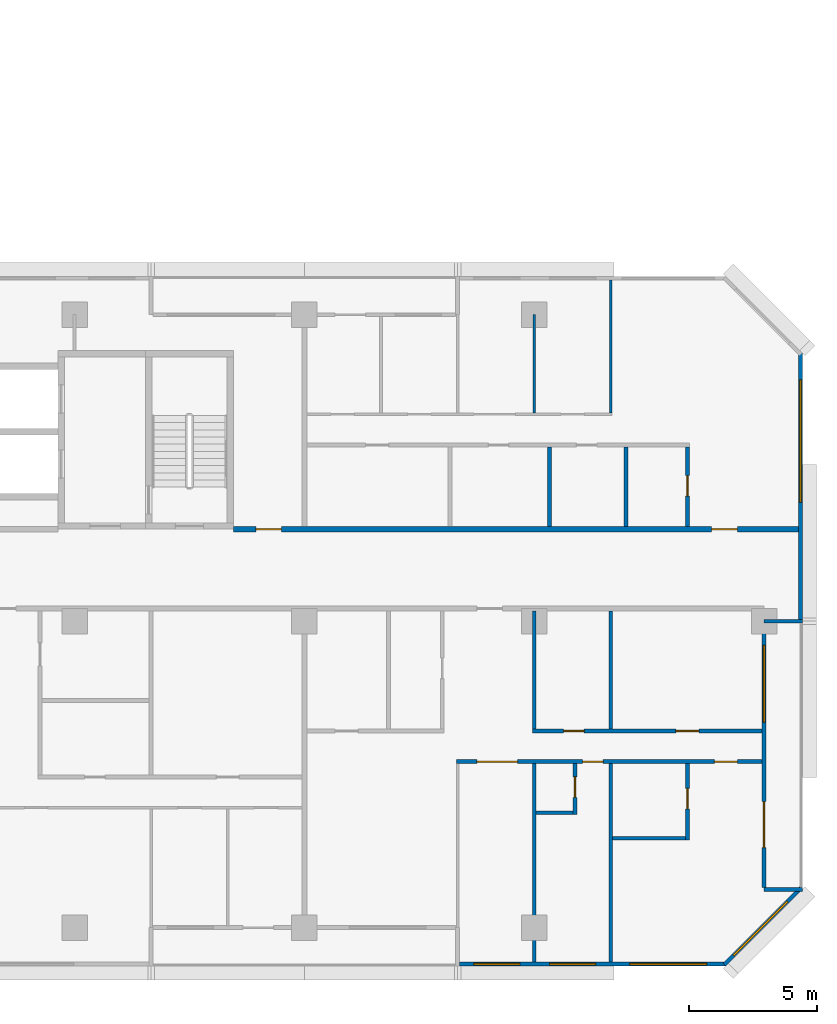
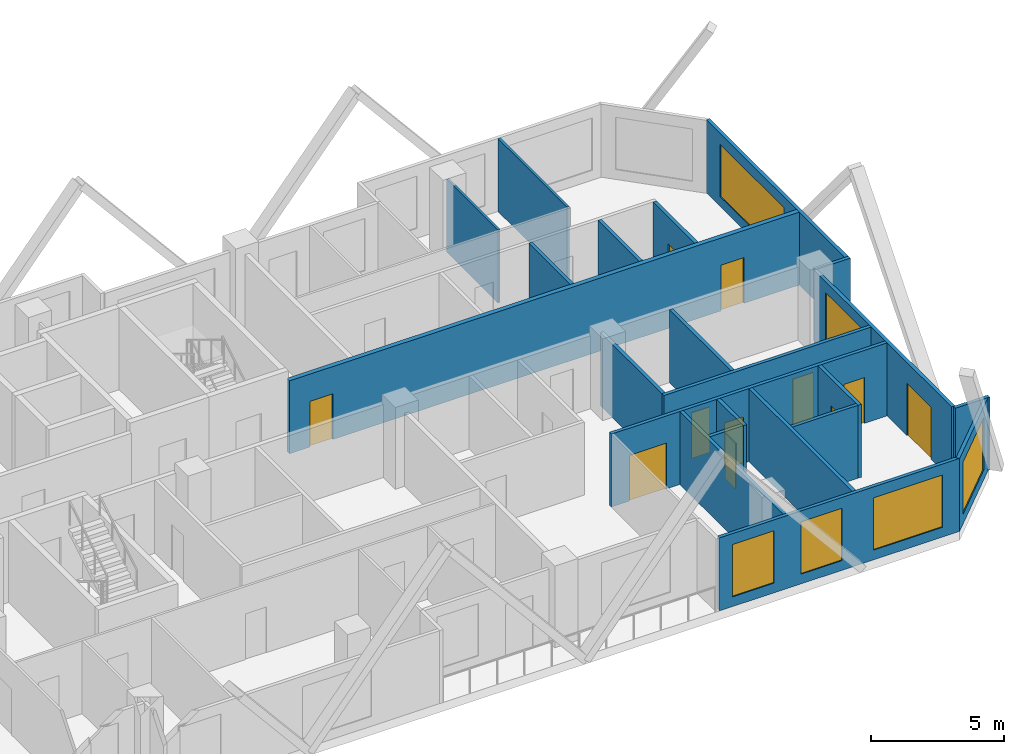
# One storey, part 12 of 15: 22 walls, 11 doors, 6 windows, 17 openings.
"""IFC4 building model written with IfcOpenShell, lengths in metres."""

from ifc_helpers import new_model, si_unit, direction, frame, frame_2d, origin, place, context, subcontext, project, spatial, rectangle, extrude, material, layer, layer_set, type_object, element, fill, save


model = new_model("IFC4")

# Units and contexts
model_context = context("Model", 3, precision=1e-05, world=origin(), true_north=direction((0.0, 1.0)))
body_context = subcontext(model_context, "Body", "Model", "MODEL_VIEW")
ifc_project = project(units=[si_unit("LENGTHUNIT", "METRE"), si_unit("AREAUNIT", "SQUARE_METRE"), si_unit("VOLUMEUNIT", "CUBIC_METRE"), si_unit("PLANEANGLEUNIT", "RADIAN"), si_unit("MASSUNIT", "GRAM", prefix="KILO")], contexts=[model_context])

# Site, building, storey
site_placement = place(None, origin())
site = spatial("IfcSite", under=ifc_project, at=site_placement, CompositionType="ELEMENT")
building_placement = place(site_placement, origin())
building = spatial("IfcBuilding", under=site, at=building_placement, Name="Chenar Terraces", CompositionType="ELEMENT")
storey_placement = place(building_placement, frame((0.0, 0.0, 121.89990234375)))
storey = spatial("IfcBuildingStorey", under=building, at=storey_placement, Name="L28", CompositionType="ELEMENT", Elevation=121.89990234375)

# Wall, openings, doors
ifc_material_1 = material(Name="Gypsum board on steel studs with fire boards", Category="steel")
ifc_layer_1 = layer(ifc_material_1, 0.199951171875)
ifc_layer_set_1 = layer_set([ifc_layer_1], Name="Gypsum board on steel studs with fire boards")
wall_type_1 = type_object("IfcWallType", Name="Corridor wall 200", PredefinedType="PARTITIONING", material=ifc_layer_set_1)
wall_1_placement = place(storey_placement, frame((51.22509765625, 15.60009765625, 0.0), z_axis=(0.0, 0.0, 1.0), x_axis=(1.0, 0.0, 0.0)))
wall_1 = element("IfcWall", 1, at=wall_1_placement, inside=storey, type_object=wall_type_1, Name="Partition L28-076", PredefinedType="PARTITIONING", context=body_context, shape_type="SweptSolid", body=[
    extrude(rectangle(XDim=22.125, YDim=0.199951171875, at=frame_2d((11.0625, 0.0))), origin(), (0.0, 0.0, 1.0), 3.35009765625),
])
opening_1_placement = place(wall_1_placement, frame((18.72509765625, 0.0, 0.0)))
opening_1 = element("IfcOpeningElement", 2, at=opening_1_placement, cuts=wall_1, Name="Opening DL28-8", PredefinedType="OPENING", context=body_context, shape_type="SweptSolid", body=[
    extrude(rectangle(XDim=1.0, YDim=2.10009765625, at=frame_2d((0.5, 1.050048828125))), frame((0.0, 0.10986328125, 0.0), z_axis=(0.0, -1.0, 0.0), x_axis=(1.0, 0.0, 0.0)), (0.0, 0.0, 1.0), 0.219970703125),
])
opening_2_placement = place(wall_1_placement, frame((0.875, 0.0, 0.0)))
opening_2 = element("IfcOpeningElement", 3, at=opening_2_placement, cuts=wall_1, Name="Opening DL28-52", PredefinedType="OPENING", context=body_context, shape_type="SweptSolid", body=[
    extrude(rectangle(XDim=1.0, YDim=2.10009765625, at=frame_2d((0.5, 1.050048828125))), frame((0.0, 0.10986328125, 0.0), z_axis=(0.0, -1.0, 0.0), x_axis=(1.0, 0.0, 0.0)), (0.0, 0.0, 1.0), 0.219970703125),
])
ifc_material_2 = material(Name="Steel-framed fire-resisting door leaf", Category="steel")
door_type_1 = type_object("IfcDoorType", Name="Fire door FD30S 1000 x 2100", OperationType="SINGLE_SWING_LEFT", PredefinedType="DOOR", material=ifc_material_2)
door_1_placement = place(opening_1_placement, origin())
door_1 = element("IfcDoor", 4, at=door_1_placement, inside=storey, type_object=door_type_1, Name="Door DL28-8", OperationType="SINGLE_SWING_LEFT", OverallHeight=2.10009765625, OverallWidth=1.0, PredefinedType="DOOR", context=body_context, shape_type="SweptSolid", body=[
    extrude(rectangle(XDim=1.0, YDim=2.10009765625, at=frame_2d((0.5, 1.050048828125))), frame((0.0, 0.02490234375, 0.0), z_axis=(0.0, -1.0, 0.0), x_axis=(1.0, 0.0, 0.0)), (0.0, 0.0, 1.0), 0.050048828125),
])
fill(opening_1, door_1)
door_2_placement = place(opening_2_placement, origin())
door_2 = element("IfcDoor", 5, at=door_2_placement, inside=storey, type_object=door_type_1, Name="Door DL28-52", OperationType="SINGLE_SWING_RIGHT", OverallHeight=2.10009765625, OverallWidth=1.0, PredefinedType="DOOR", context=body_context, shape_type="SweptSolid", body=[
    extrude(rectangle(XDim=1.0, YDim=2.10009765625, at=frame_2d((0.5, 1.050048828125))), frame((0.0, 0.02490234375, 0.0), z_axis=(0.0, -1.0, 0.0), x_axis=(1.0, 0.0, 0.0)), (0.0, 0.0, 1.0), 0.050048828125),
])
fill(opening_2, door_2)

# Wall, openings, windows
ifc_material_3 = material(Name="Aluminium framed glazing", Category="aluminium")
ifc_layer_2 = layer(ifc_material_3, 0.14990234375)
ifc_layer_set_2 = layer_set([ifc_layer_2], Name="Aluminium framed glazing")
wall_type_2 = type_object("IfcWallType", Name="Glazed flush facade wall 150", PredefinedType="SOLIDWALL", material=ifc_layer_set_2)
wall_2_placement = place(storey_placement, frame((60.074951171875, -1.425048828125, 0.0), z_axis=(0.0, 0.0, 1.0), x_axis=(1.0, 0.0, 0.0)))
wall_2 = element("IfcWall", 6, at=wall_2_placement, inside=storey, type_object=wall_type_2, Name="Glazed flush facade wall", PredefinedType="SOLIDWALL", context=body_context, shape_type="SweptSolid", body=[
    extrude(rectangle(XDim=10.425048828125, YDim=0.14990234375, at=frame_2d((5.21240234375, 0.0))), origin(), (0.0, 0.0, 1.0), 3.35009765625),
])
opening_3_placement = place(wall_2_placement, frame((0.5625, 0.0, 0.449951171875)))
opening_3 = element("IfcOpeningElement", 7, at=opening_3_placement, cuts=wall_2, Name="Opening W180x240", PredefinedType="OPENING", context=body_context, shape_type="SweptSolid", body=[
    extrude(rectangle(XDim=1.800048828125, YDim=2.39990234375, at=frame_2d((0.89990234375, 1.199951171875))), frame((0.0, 0.0849609375, 0.0), z_axis=(0.0, -1.0, 0.0), x_axis=(1.0, 0.0, 0.0)), (0.0, 0.0, 1.0), 0.169921875),
])
opening_4_placement = place(wall_2_placement, frame((3.52490234375, 0.0, 0.449951171875)))
opening_4 = element("IfcOpeningElement", 8, at=opening_4_placement, cuts=wall_2, Name="Opening W180x240", PredefinedType="OPENING", context=body_context, shape_type="SweptSolid", body=[
    extrude(rectangle(XDim=1.800048828125, YDim=2.39990234375, at=frame_2d((0.89990234375, 1.199951171875))), frame((0.0, 0.0849609375, 0.0), z_axis=(0.0, -1.0, 0.0), x_axis=(1.0, 0.0, 0.0)), (0.0, 0.0, 1.0), 0.169921875),
])
opening_5_placement = place(wall_2_placement, frame((6.675048828125, 0.0, 0.449951171875)))
opening_5 = element("IfcOpeningElement", 9, at=opening_5_placement, cuts=wall_2, Name="Opening W300x240", PredefinedType="OPENING", context=body_context, shape_type="SweptSolid", body=[
    extrude(rectangle(XDim=3.0, YDim=2.39990234375, at=frame_2d((1.5, 1.199951171875))), frame((0.0, 0.0849609375, 0.0), z_axis=(0.0, -1.0, 0.0), x_axis=(1.0, 0.0, 0.0)), (0.0, 0.0, 1.0), 0.169921875),
])
ifc_material_4 = material(Name="Low emissivity double glazing, aluminium frame", Category="aluminium")
window_type_1 = type_object("IfcWindowType", Name="Fixed light 1800 x 2400", PartitioningType="SINGLE_PANEL", PredefinedType="WINDOW", material=ifc_material_4)
window_1_placement = place(opening_3_placement, origin())
window_1 = element("IfcWindow", 10, at=window_1_placement, inside=storey, type_object=window_type_1, Name="Window", OverallHeight=2.39990234375, OverallWidth=1.800048828125, PartitioningType="SINGLE_PANEL", PredefinedType="WINDOW", context=body_context, shape_type="SweptSolid", body=[
    extrude(rectangle(XDim=1.800048828125, YDim=2.39990234375, at=frame_2d((0.89990234375, 1.199951171875))), frame((0.0, 0.030029296875, 0.0), z_axis=(0.0, -1.0, 0.0), x_axis=(1.0, 0.0, 0.0)), (0.0, 0.0, 1.0), 0.06005859375),
])
fill(opening_3, window_1)
window_2_placement = place(opening_4_placement, origin())
window_2 = element("IfcWindow", 11, at=window_2_placement, inside=storey, type_object=window_type_1, Name="Window", OverallHeight=2.39990234375, OverallWidth=1.800048828125, PartitioningType="SINGLE_PANEL", PredefinedType="WINDOW", context=body_context, shape_type="SweptSolid", body=[
    extrude(rectangle(XDim=1.800048828125, YDim=2.39990234375, at=frame_2d((0.89990234375, 1.199951171875))), frame((0.0, 0.030029296875, 0.0), z_axis=(0.0, -1.0, 0.0), x_axis=(1.0, 0.0, 0.0)), (0.0, 0.0, 1.0), 0.06005859375),
])
fill(opening_4, window_2)
ifc_material_5 = material(Name="Low emissivity double glazing, aluminium frame", Category="aluminium")
window_type_2 = type_object("IfcWindowType", Name="Fixed light 3000 x 2400", PartitioningType="SINGLE_PANEL", PredefinedType="WINDOW", material=ifc_material_5)
window_3_placement = place(opening_5_placement, origin())
window_3 = element("IfcWindow", 12, at=window_3_placement, inside=storey, type_object=window_type_2, Name="Window", OverallHeight=2.39990234375, OverallWidth=3.0, PartitioningType="SINGLE_PANEL", PredefinedType="WINDOW", context=body_context, shape_type="SweptSolid", body=[
    extrude(rectangle(XDim=3.0, YDim=2.39990234375, at=frame_2d((1.5, 1.199951171875))), frame((0.0, 0.030029296875, 0.0), z_axis=(0.0, -1.0, 0.0), x_axis=(1.0, 0.0, 0.0)), (0.0, 0.0, 1.0), 0.06005859375),
])
fill(opening_5, window_3)

# Wall, opening, window
wall_3_placement = place(storey_placement, frame((73.425048828125, 12.074951171875, 0.0), z_axis=(0.0, 0.0, 1.0), x_axis=(0.0, 1.0, 0.0)))
wall_3 = element("IfcWall", 13, at=wall_3_placement, inside=storey, type_object=wall_type_2, Name="Glazed flush facade wall", PredefinedType="SOLIDWALL", context=body_context, shape_type="SweptSolid", body=[
    extrude(rectangle(XDim=10.425048828125, YDim=0.14990234375, at=frame_2d((5.21240234375, 0.0))), origin(), (0.0, 0.0, 1.0), 3.35009765625),
])
opening_6_placement = place(wall_3_placement, frame((4.574951171875, 0.0, 0.449951171875)))
opening_6 = element("IfcOpeningElement", 14, at=opening_6_placement, cuts=wall_3, Name="Opening W480x240", PredefinedType="OPENING", context=body_context, shape_type="SweptSolid", body=[
    extrude(rectangle(XDim=4.800048828125, YDim=2.39990234375, at=frame_2d((2.39990234375, 1.199951171875))), frame((0.0, 0.0849609375, 0.0), z_axis=(0.0, -1.0, 0.0), x_axis=(1.0, 0.0, 0.0)), (0.0, 0.0, 1.0), 0.169921875),
])
ifc_material_6 = material(Name="Low emissivity double glazing, aluminium frame", Category="aluminium")
window_type_3 = type_object("IfcWindowType", Name="Fixed light 4800 x 2400", PartitioningType="SINGLE_PANEL", PredefinedType="WINDOW", material=ifc_material_6)
window_4_placement = place(opening_6_placement, origin())
window_4 = element("IfcWindow", 15, at=window_4_placement, inside=storey, type_object=window_type_3, Name="Window", OverallHeight=2.39990234375, OverallWidth=4.800048828125, PartitioningType="SINGLE_PANEL", PredefinedType="WINDOW", context=body_context, shape_type="SweptSolid", body=[
    extrude(rectangle(XDim=4.800048828125, YDim=2.39990234375, at=frame_2d((2.39990234375, 1.199951171875))), frame((0.0, 0.030029296875, 0.0), z_axis=(0.0, -1.0, 0.0), x_axis=(1.0, 0.0, 0.0)), (0.0, 0.0, 1.0), 0.06005859375),
])
fill(opening_6, window_4)

# Wall, openings, window, door
ifc_material_7 = material(Name="Aluminium framed glazing", Category="aluminium")
ifc_layer_3 = layer(ifc_material_7, 0.14990234375)
ifc_layer_set_3 = layer_set([ifc_layer_3], Name="Aluminium framed glazing")
wall_type_3 = type_object("IfcWallType", Name="Glazed loggia back wall 150", PredefinedType="SOLIDWALL", material=ifc_layer_set_3)
wall_4_placement = place(storey_placement, frame((72.0, 1.574951171875, 0.0), z_axis=(0.0, 0.0, 1.0), x_axis=(0.0, 1.0, 0.0)))
wall_4 = element("IfcWall", 16, at=wall_4_placement, inside=storey, type_object=wall_type_3, Name="Glazed loggia back wall", PredefinedType="SOLIDWALL", context=body_context, shape_type="SweptSolid", body=[
    extrude(rectangle(XDim=10.35009765625, YDim=0.14990234375, at=frame_2d((5.175048828125, 0.0))), origin(), (0.0, 0.0, 1.0), 3.35009765625),
])
opening_7_placement = place(wall_4_placement, frame((1.5625, 0.0, 0.0)))
opening_7 = element("IfcOpeningElement", 17, at=opening_7_placement, cuts=wall_4, Name="Opening DL28-G8", PredefinedType="OPENING", context=body_context, shape_type="SweptSolid", body=[
    extrude(rectangle(XDim=1.800048828125, YDim=2.39990234375, at=frame_2d((0.89990234375, 1.199951171875))), frame((0.0, 0.0849609375, 0.0), z_axis=(0.0, -1.0, 0.0), x_axis=(1.0, 0.0, 0.0)), (0.0, 0.0, 1.0), 0.169921875),
])
opening_8_placement = place(wall_4_placement, frame((6.47509765625, 0.0, 0.449951171875)))
opening_8 = element("IfcOpeningElement", 18, at=opening_8_placement, cuts=wall_4, Name="Opening W300x240", PredefinedType="OPENING", context=body_context, shape_type="SweptSolid", body=[
    extrude(rectangle(XDim=3.0, YDim=2.39990234375, at=frame_2d((1.5, 1.199951171875))), frame((0.0, 0.0849609375, 0.0), z_axis=(0.0, -1.0, 0.0), x_axis=(1.0, 0.0, 0.0)), (0.0, 0.0, 1.0), 0.169921875),
])
window_5_placement = place(opening_8_placement, origin())
window_5 = element("IfcWindow", 19, at=window_5_placement, inside=storey, type_object=window_type_2, Name="Window", OverallHeight=2.39990234375, OverallWidth=3.0, PartitioningType="SINGLE_PANEL", PredefinedType="WINDOW", context=body_context, shape_type="SweptSolid", body=[
    extrude(rectangle(XDim=3.0, YDim=2.39990234375, at=frame_2d((1.5, 1.199951171875))), frame((0.0, 0.030029296875, 0.0), z_axis=(0.0, -1.0, 0.0), x_axis=(1.0, 0.0, 0.0)), (0.0, 0.0, 1.0), 0.06005859375),
])
fill(opening_8, window_5)
ifc_material_8 = material(Name="Low emissivity double glazing, aluminium frame", Category="aluminium")
door_type_2 = type_object("IfcDoorType", Name="Loggia glazed double door 1800 x 2400", OperationType="DOUBLE_DOOR_SINGLE_SWING", PredefinedType="DOOR", material=ifc_material_8)
door_3_placement = place(opening_7_placement, frame((1.800048828125, 0.0, 0.0), z_axis=(0.0, 0.0, 1.0), x_axis=(-1.0, 0.0, 0.0)))
door_3 = element("IfcDoor", 20, at=door_3_placement, inside=storey, type_object=door_type_2, Name="Loggia glazed door", OperationType="DOUBLE_DOOR_SINGLE_SWING", OverallHeight=2.39990234375, OverallWidth=1.800048828125, PredefinedType="DOOR", context=body_context, shape_type="SweptSolid", body=[
    extrude(rectangle(XDim=1.800048828125, YDim=2.39990234375, at=frame_2d((0.89990234375, 1.199951171875))), frame((0.0, 0.02490234375, 0.0), z_axis=(0.0, -1.0, 0.0), x_axis=(1.0, 0.0, 0.0)), (0.0, 0.0, 1.0), 0.050048828125),
])
fill(opening_7, door_3)

# Walls
ifc_material_9 = material(Name="Gypsum board on steel studs", Category="steel")
ifc_layer_4 = layer(ifc_material_9, 0.10009765625)
ifc_layer_set_4 = layer_set([ifc_layer_4], Name="Gypsum board on steel studs")
wall_type_4 = type_object("IfcWallType", Name="Gypsum partition 100", PredefinedType="PARTITIONING", material=ifc_layer_set_4)
wall_5_placement = place(storey_placement, frame((63.0, 20.14990234375, 0.0), z_axis=(0.0, 0.0, 1.0), x_axis=(0.0, 1.0, 0.0)))
element("IfcWall", 21, at=wall_5_placement, inside=storey, type_object=wall_type_4, Name="Partition L28-092", PredefinedType="PARTITIONING", context=body_context, shape_type="SweptSolid", body=[
    extrude(rectangle(XDim=3.85009765625, YDim=0.10009765625, at=frame_2d((1.925048828125, 0.0))), origin(), (0.0, 0.0, 1.0), 3.35009765625),
])
wall_6_placement = place(storey_placement, frame((66.0, 20.14990234375, 0.0), z_axis=(0.0, 0.0, 1.0), x_axis=(0.0, 1.0, 0.0)))
element("IfcWall", 22, at=wall_6_placement, inside=storey, type_object=wall_type_4, Name="Partition L28-098", PredefinedType="PARTITIONING", context=body_context, shape_type="SweptSolid", body=[
    extrude(rectangle(XDim=5.2001953125, YDim=0.10009765625, at=frame_2d((2.60009765625, 0.0))), origin(), (0.0, 0.0, 1.0), 3.35009765625),
])
ifc_material_10 = material(Name="Terracotta cladding on insulated backing", Category="masonry")
ifc_layer_5 = layer(ifc_material_10, 0.14990234375)
ifc_layer_set_5 = layer_set([ifc_layer_5], Name="Terracotta cladding on insulated backing")
wall_type_5 = type_object("IfcWallType", Name="Loggia return wall 150", PredefinedType="SOLIDWALL", material=ifc_layer_set_5)
for number, where, z_axis, x_axis, name in (
    (23, (73.5, 1.5, 0.0), (0.0, 0.0, 1.0), (-1.0, 0.0, 0.0), "Loggia return wall"),
    (24, (73.5, 12.0, 0.0), (0.0, 0.0, 1.0), (-1.0, 0.0, 0.0), "Loggia return wall"),
):
    element("IfcWall", number, at=place(storey_placement, frame(where, z_axis=z_axis, x_axis=x_axis)), inside=storey, type_object=wall_type_5, Name=name, PredefinedType="SOLIDWALL", context=body_context, shape_type="SweptSolid", body=[
        extrude(rectangle(XDim=1.5, YDim=0.14990234375, at=frame_2d((0.75, 0.0))), origin(), (0.0, 0.0, 1.0), 3.35009765625),
    ])

# Wall, opening, window
ifc_material_11 = material(Name="Terracotta cladding on insulated backing", Category="masonry")
ifc_layer_6 = layer(ifc_material_11, 0.14990234375)
ifc_layer_set_6 = layer_set([ifc_layer_6], Name="Terracotta cladding on insulated backing")
wall_type_6 = type_object("IfcWallType", Name="Terracotta rainscreen wall 150", PredefinedType="SOLIDWALL", material=ifc_layer_set_6)
wall_7_placement = place(storey_placement, frame((70.447021484375, -1.447021484375, 0.0), z_axis=(0.0, 0.0, 1.0), x_axis=(0.707106781187, 0.707106781187, 0.0)))
wall_7 = element("IfcWall", 25, at=wall_7_placement, inside=storey, type_object=wall_type_6, Name="Terracotta rainscreen wall", PredefinedType="SOLIDWALL", context=body_context, shape_type="SweptSolid", body=[
    extrude(rectangle(XDim=4.24267578125, YDim=0.14990234375, at=frame_2d((2.121337890625, 0.0))), origin(), (0.0, 0.0, 1.0), 3.35009765625),
])
opening_9_placement = place(wall_7_placement, frame((0.498046875, 0.0, 0.449951171875)))
opening_9 = element("IfcOpeningElement", 26, at=opening_9_placement, cuts=wall_7, Name="Opening W300x240", PredefinedType="OPENING", context=body_context, shape_type="SweptSolid", body=[
    extrude(rectangle(XDim=3.0, YDim=2.39990234375, at=frame_2d((1.5, 1.199951171875))), frame((0.0, 0.0849609375, 0.0), z_axis=(0.0, -1.0, 0.0), x_axis=(1.0, 0.0, 0.0)), (0.0, 0.0, 1.0), 0.169921875),
])
window_6_placement = place(opening_9_placement, origin())
window_6 = element("IfcWindow", 27, at=window_6_placement, inside=storey, type_object=window_type_2, Name="Window", OverallHeight=2.39990234375, OverallWidth=3.0, PartitioningType="SINGLE_PANEL", PredefinedType="WINDOW", context=body_context, shape_type="SweptSolid", body=[
    extrude(rectangle(XDim=3.0, YDim=2.39990234375, at=frame_2d((1.5, 1.199951171875))), frame((0.0, 0.030029296875, 0.0), z_axis=(0.0, -1.0, 0.0), x_axis=(1.0, 0.0, 0.0)), (0.0, 0.0, 1.0), 0.06005859375),
])
fill(opening_9, window_6)

# Wall, openings, doors
ifc_material_12 = material(Name="Moisture-resistant gypsum board on steel studs", Category="steel")
ifc_layer_7 = layer(ifc_material_12, 0.14990234375)
ifc_layer_set_7 = layer_set([ifc_layer_7], Name="Moisture-resistant gypsum board on steel studs")
wall_type_7 = type_object("IfcWallType", Name="Wet-room partition 150", PredefinedType="PARTITIONING", material=ifc_layer_set_7)
wall_8_placement = place(storey_placement, frame((59.949951171875, 6.5, 0.0), z_axis=(0.0, 0.0, 1.0), x_axis=(1.0, 0.0, 0.0)))
wall_8 = element("IfcWall", 28, at=wall_8_placement, inside=storey, type_object=wall_type_7, Name="Partition L28-086", PredefinedType="PARTITIONING", context=body_context, shape_type="SweptSolid", body=[
    extrude(rectangle(XDim=11.97607421875, YDim=0.14990234375, at=frame_2d((5.988037109375, 0.0))), origin(), (0.0, 0.0, 1.0), 3.35009765625),
])
opening_10_placement = place(wall_8_placement, frame((10.10009765625, 0.0, 0.0)))
opening_10 = element("IfcOpeningElement", 29, at=opening_10_placement, cuts=wall_8, Name="Opening DL28-14", PredefinedType="OPENING", context=body_context, shape_type="SweptSolid", body=[
    extrude(rectangle(XDim=0.89990234375, YDim=2.10009765625, at=frame_2d((0.449951171875, 1.050048828125))), frame((0.0, 0.0849609375, 0.0), z_axis=(0.0, -1.0, 0.0), x_axis=(1.0, 0.0, 0.0)), (0.0, 0.0, 1.0), 0.169921875),
])
opening_11_placement = place(wall_8_placement, frame((4.949951171875, 0.0, 0.0)))
opening_11 = element("IfcOpeningElement", 30, at=opening_11_placement, cuts=wall_8, Name="Opening DL28-18", PredefinedType="OPENING", context=body_context, shape_type="SweptSolid", body=[
    extrude(rectangle(XDim=0.800048828125, YDim=2.10009765625, at=frame_2d((0.39990234375, 1.050048828125))), frame((0.0, 0.0849609375, 0.0), z_axis=(0.0, -1.0, 0.0), x_axis=(1.0, 0.0, 0.0)), (0.0, 0.0, 1.0), 0.169921875),
])
opening_12_placement = place(wall_8_placement, frame((0.800048828125, 0.0, 0.0)))
opening_12 = element("IfcOpeningElement", 31, at=opening_12_placement, cuts=wall_8, Name="Opening DL28-20", PredefinedType="OPENING", context=body_context, shape_type="SweptSolid", body=[
    extrude(rectangle(XDim=1.60009765625, YDim=2.10009765625, at=frame_2d((0.800048828125, 1.050048828125))), frame((0.0, 0.0849609375, 0.0), z_axis=(0.0, -1.0, 0.0), x_axis=(1.0, 0.0, 0.0)), (0.0, 0.0, 1.0), 0.169921875),
])
ifc_material_13 = material(Name="Veneered timber door leaf", Category="wood")
door_type_3 = type_object("IfcDoorType", Name="Door 800 x 2100", OperationType="SINGLE_SWING_LEFT", PredefinedType="DOOR", material=ifc_material_13)
door_4_placement = place(opening_11_placement, frame((0.800048828125, 0.0, 0.0), z_axis=(0.0, 0.0, 1.0), x_axis=(-1.0, 0.0, 0.0)))
door_4 = element("IfcDoor", 32, at=door_4_placement, inside=storey, type_object=door_type_3, Name="Door DL28-18", OperationType="SINGLE_SWING_LEFT", OverallHeight=2.10009765625, OverallWidth=0.800048828125, PredefinedType="DOOR", context=body_context, shape_type="SweptSolid", body=[
    extrude(rectangle(XDim=0.800048828125, YDim=2.10009765625, at=frame_2d((0.39990234375, 1.050048828125))), frame((0.0, 0.02490234375, 0.0), z_axis=(0.0, -1.0, 0.0), x_axis=(1.0, 0.0, 0.0)), (0.0, 0.0, 1.0), 0.050048828125),
])
fill(opening_11, door_4)
ifc_material_14 = material(Name="Veneered timber door leaf", Category="wood")
door_type_4 = type_object("IfcDoorType", Name="Door 900 x 2100", OperationType="SINGLE_SWING_LEFT", PredefinedType="DOOR", material=ifc_material_14)
door_5_placement = place(opening_10_placement, frame((0.89990234375, 0.0, 0.0), z_axis=(0.0, 0.0, 1.0), x_axis=(-1.0, 0.0, 0.0)))
door_5 = element("IfcDoor", 33, at=door_5_placement, inside=storey, type_object=door_type_4, Name="Door DL28-14", OperationType="SINGLE_SWING_RIGHT", OverallHeight=2.10009765625, OverallWidth=0.89990234375, PredefinedType="DOOR", context=body_context, shape_type="SweptSolid", body=[
    extrude(rectangle(XDim=0.89990234375, YDim=2.10009765625, at=frame_2d((0.449951171875, 1.050048828125))), frame((0.0, 0.02490234375, 0.0), z_axis=(0.0, -1.0, 0.0), x_axis=(1.0, 0.0, 0.0)), (0.0, 0.0, 1.0), 0.050048828125),
])
fill(opening_10, door_5)
ifc_material_15 = material(Name="Veneered timber door leaf", Category="wood")
door_type_5 = type_object("IfcDoorType", Name="Double door 1600 x 2100", OperationType="DOUBLE_DOOR_SINGLE_SWING", PredefinedType="DOOR", material=ifc_material_15)
door_6_placement = place(opening_12_placement, frame((1.60009765625, 0.0, 0.0), z_axis=(0.0, 0.0, 1.0), x_axis=(-1.0, 0.0, 0.0)))
door_6 = element("IfcDoor", 34, at=door_6_placement, inside=storey, type_object=door_type_5, Name="Door DL28-20", OperationType="DOUBLE_DOOR_SINGLE_SWING", OverallHeight=2.10009765625, OverallWidth=1.60009765625, PredefinedType="DOOR", context=body_context, shape_type="SweptSolid", body=[
    extrude(rectangle(XDim=1.60009765625, YDim=2.10009765625, at=frame_2d((0.800048828125, 1.050048828125))), frame((0.0, 0.02490234375, 0.0), z_axis=(0.0, -1.0, 0.0), x_axis=(1.0, 0.0, 0.0)), (0.0, 0.0, 1.0), 0.050048828125),
])
fill(opening_12, door_6)

wall_9_placement = place(storey_placement, frame((62.925048828125, 7.699951171875, 0.0), z_axis=(0.0, 0.0, 1.0), x_axis=(1.0, 0.0, 0.0)))
wall_9 = element("IfcWall", 35, at=wall_9_placement, inside=storey, type_object=wall_type_7, Name="Partition L28-089", PredefinedType="PARTITIONING", context=body_context, shape_type="SweptSolid", body=[
    extrude(rectangle(XDim=9.0009765625, YDim=0.14990234375, at=frame_2d((4.50048828125, 0.0))), origin(), (0.0, 0.0, 1.0), 3.35009765625),
])
opening_13_placement = place(wall_9_placement, frame((5.625, 0.0, 0.0)))
opening_13 = element("IfcOpeningElement", 36, at=opening_13_placement, cuts=wall_9, Name="Opening DL28-16", PredefinedType="OPENING", context=body_context, shape_type="SweptSolid", body=[
    extrude(rectangle(XDim=0.89990234375, YDim=2.10009765625, at=frame_2d((0.449951171875, 1.050048828125))), frame((0.0, 0.0849609375, 0.0), z_axis=(0.0, -1.0, 0.0), x_axis=(1.0, 0.0, 0.0)), (0.0, 0.0, 1.0), 0.169921875),
])
opening_14_placement = place(wall_9_placement, frame((1.22509765625, 0.0, 0.0)))
opening_14 = element("IfcOpeningElement", 37, at=opening_14_placement, cuts=wall_9, Name="Opening DL28-22", PredefinedType="OPENING", context=body_context, shape_type="SweptSolid", body=[
    extrude(rectangle(XDim=0.800048828125, YDim=2.10009765625, at=frame_2d((0.39990234375, 1.050048828125))), frame((0.0, 0.0849609375, 0.0), z_axis=(0.0, -1.0, 0.0), x_axis=(1.0, 0.0, 0.0)), (0.0, 0.0, 1.0), 0.169921875),
])
door_7_placement = place(opening_14_placement, origin())
door_7 = element("IfcDoor", 38, at=door_7_placement, inside=storey, type_object=door_type_3, Name="Door DL28-22", OperationType="SINGLE_SWING_RIGHT", OverallHeight=2.10009765625, OverallWidth=0.800048828125, PredefinedType="DOOR", context=body_context, shape_type="SweptSolid", body=[
    extrude(rectangle(XDim=0.800048828125, YDim=2.10009765625, at=frame_2d((0.39990234375, 1.050048828125))), frame((0.0, 0.02490234375, 0.0), z_axis=(0.0, -1.0, 0.0), x_axis=(1.0, 0.0, 0.0)), (0.0, 0.0, 1.0), 0.050048828125),
])
fill(opening_14, door_7)
door_8_placement = place(opening_13_placement, origin())
door_8 = element("IfcDoor", 39, at=door_8_placement, inside=storey, type_object=door_type_4, Name="Door DL28-16", OperationType="SINGLE_SWING_RIGHT", OverallHeight=2.10009765625, OverallWidth=0.89990234375, PredefinedType="DOOR", context=body_context, shape_type="SweptSolid", body=[
    extrude(rectangle(XDim=0.89990234375, YDim=2.10009765625, at=frame_2d((0.449951171875, 1.050048828125))), frame((0.0, 0.02490234375, 0.0), z_axis=(0.0, -1.0, 0.0), x_axis=(1.0, 0.0, 0.0)), (0.0, 0.0, 1.0), 0.050048828125),
])
fill(opening_13, door_8)

# Walls
wall_10_placement = place(storey_placement, frame((63.0, -1.35107421875, 0.0), z_axis=(0.0, 0.0, 1.0), x_axis=(0.0, 1.0, 0.0)))
element("IfcWall", 40, at=wall_10_placement, inside=storey, type_object=wall_type_7, Name="Partition L28-090", PredefinedType="PARTITIONING", context=body_context, shape_type="SweptSolid", body=[
    extrude(rectangle(XDim=7.776123046875, YDim=0.14990234375, at=frame_2d((3.88818359375, 0.0))), origin(), (0.0, 0.0, 1.0), 3.35009765625),
])
wall_11_placement = place(storey_placement, frame((63.0, 7.77490234375, 0.0), z_axis=(0.0, 0.0, 1.0), x_axis=(0.0, 1.0, 0.0)))
element("IfcWall", 41, at=wall_11_placement, inside=storey, type_object=wall_type_7, Name="Partition L28-091", PredefinedType="PARTITIONING", context=body_context, shape_type="SweptSolid", body=[
    extrude(rectangle(XDim=4.625, YDim=0.14990234375, at=frame_2d((2.3125, 0.0))), origin(), (0.0, 0.0, 1.0), 3.35009765625),
])
wall_12_placement = place(storey_placement, frame((63.074951171875, 4.5, 0.0), z_axis=(0.0, 0.0, 1.0), x_axis=(1.0, 0.0, 0.0)))
element("IfcWall", 42, at=wall_12_placement, inside=storey, type_object=wall_type_7, Name="Partition L28-093", PredefinedType="PARTITIONING", context=body_context, shape_type="SweptSolid", body=[
    extrude(rectangle(XDim=1.449951171875, YDim=0.14990234375, at=frame_2d((0.72509765625, 0.0))), origin(), (0.0, 0.0, 1.0), 3.35009765625),
])
wall_13_placement = place(storey_placement, frame((63.60009765625, 15.699951171875, 0.0), z_axis=(0.0, 0.0, 1.0), x_axis=(0.0, 1.0, 0.0)))
element("IfcWall", 43, at=wall_13_placement, inside=storey, type_object=wall_type_7, Name="Partition L28-094", PredefinedType="PARTITIONING", context=body_context, shape_type="SweptSolid", body=[
    extrude(rectangle(XDim=3.125, YDim=0.14990234375, at=frame_2d((1.5625, 0.0))), origin(), (0.0, 0.0, 1.0), 3.35009765625),
])

# Wall, opening, door
wall_14_placement = place(storey_placement, frame((64.60009765625, 4.425048828125, 0.0), z_axis=(0.0, 0.0, 1.0), x_axis=(0.0, 1.0, 0.0)))
wall_14 = element("IfcWall", 44, at=wall_14_placement, inside=storey, type_object=wall_type_7, Name="Partition L28-095", PredefinedType="PARTITIONING", context=body_context, shape_type="SweptSolid", body=[
    extrude(rectangle(XDim=2.0, YDim=0.14990234375, at=frame_2d((1.0, 0.0))), origin(), (0.0, 0.0, 1.0), 3.35009765625),
])
opening_15_placement = place(wall_14_placement, frame((0.675048828125, 0.0, 0.0)))
opening_15 = element("IfcOpeningElement", 45, at=opening_15_placement, cuts=wall_14, Name="Opening DL28-19", PredefinedType="OPENING", context=body_context, shape_type="SweptSolid", body=[
    extrude(rectangle(XDim=0.800048828125, YDim=2.10009765625, at=frame_2d((0.39990234375, 1.050048828125))), frame((0.0, 0.0849609375, 0.0), z_axis=(0.0, -1.0, 0.0), x_axis=(1.0, 0.0, 0.0)), (0.0, 0.0, 1.0), 0.169921875),
])
door_9_placement = place(opening_15_placement, origin())
door_9 = element("IfcDoor", 46, at=door_9_placement, inside=storey, type_object=door_type_3, Name="Door DL28-19", OperationType="SINGLE_SWING_LEFT", OverallHeight=2.10009765625, OverallWidth=0.800048828125, PredefinedType="DOOR", context=body_context, shape_type="SweptSolid", body=[
    extrude(rectangle(XDim=0.800048828125, YDim=2.10009765625, at=frame_2d((0.39990234375, 1.050048828125))), frame((0.0, 0.02490234375, 0.0), z_axis=(0.0, -1.0, 0.0), x_axis=(1.0, 0.0, 0.0)), (0.0, 0.0, 1.0), 0.050048828125),
])
fill(opening_15, door_9)

# Walls
wall_15_placement = place(storey_placement, frame((66.0, -1.35107421875, 0.0), z_axis=(0.0, 0.0, 1.0), x_axis=(0.0, 1.0, 0.0)))
element("IfcWall", 47, at=wall_15_placement, inside=storey, type_object=wall_type_7, Name="Partition L28-096", PredefinedType="PARTITIONING", context=body_context, shape_type="SweptSolid", body=[
    extrude(rectangle(XDim=7.776123046875, YDim=0.14990234375, at=frame_2d((3.88818359375, 0.0))), origin(), (0.0, 0.0, 1.0), 3.35009765625),
])
wall_16_placement = place(storey_placement, frame((66.0, 7.77490234375, 0.0), z_axis=(0.0, 0.0, 1.0), x_axis=(0.0, 1.0, 0.0)))
element("IfcWall", 48, at=wall_16_placement, inside=storey, type_object=wall_type_7, Name="Partition L28-097", PredefinedType="PARTITIONING", context=body_context, shape_type="SweptSolid", body=[
    extrude(rectangle(XDim=4.625, YDim=0.14990234375, at=frame_2d((2.3125, 0.0))), origin(), (0.0, 0.0, 1.0), 3.35009765625),
])
wall_17_placement = place(storey_placement, frame((66.074951171875, 3.5, 0.0), z_axis=(0.0, 0.0, 1.0), x_axis=(1.0, 0.0, 0.0)))
element("IfcWall", 49, at=wall_17_placement, inside=storey, type_object=wall_type_7, Name="Partition L28-099", PredefinedType="PARTITIONING", context=body_context, shape_type="SweptSolid", body=[
    extrude(rectangle(XDim=2.85009765625, YDim=0.14990234375, at=frame_2d((1.425048828125, 0.0))), origin(), (0.0, 0.0, 1.0), 3.35009765625),
])
wall_18_placement = place(storey_placement, frame((66.60009765625, 15.699951171875, 0.0), z_axis=(0.0, 0.0, 1.0), x_axis=(0.0, 1.0, 0.0)))
element("IfcWall", 50, at=wall_18_placement, inside=storey, type_object=wall_type_7, Name="Partition L28-100", PredefinedType="PARTITIONING", context=body_context, shape_type="SweptSolid", body=[
    extrude(rectangle(XDim=3.125, YDim=0.14990234375, at=frame_2d((1.5625, 0.0))), origin(), (0.0, 0.0, 1.0), 3.35009765625),
])

# Wall, opening, door
wall_19_placement = place(storey_placement, frame((69.0, 3.425048828125, 0.0), z_axis=(0.0, 0.0, 1.0), x_axis=(0.0, 1.0, 0.0)))
wall_19 = element("IfcWall", 51, at=wall_19_placement, inside=storey, type_object=wall_type_7, Name="Partition L28-101", PredefinedType="PARTITIONING", context=body_context, shape_type="SweptSolid", body=[
    extrude(rectangle(XDim=3.0, YDim=0.14990234375, at=frame_2d((1.5, 0.0))), origin(), (0.0, 0.0, 1.0), 3.35009765625),
])
opening_16_placement = place(wall_19_placement, frame((1.22509765625, 0.0, 0.0)))
opening_16 = element("IfcOpeningElement", 52, at=opening_16_placement, cuts=wall_19, Name="Opening DL28-15", PredefinedType="OPENING", context=body_context, shape_type="SweptSolid", body=[
    extrude(rectangle(XDim=0.800048828125, YDim=2.10009765625, at=frame_2d((0.39990234375, 1.050048828125))), frame((0.0, 0.0849609375, 0.0), z_axis=(0.0, -1.0, 0.0), x_axis=(1.0, 0.0, 0.0)), (0.0, 0.0, 1.0), 0.169921875),
])
door_10_placement = place(opening_16_placement, origin())
door_10 = element("IfcDoor", 53, at=door_10_placement, inside=storey, type_object=door_type_3, Name="Door DL28-15", OperationType="SINGLE_SWING_RIGHT", OverallHeight=2.10009765625, OverallWidth=0.800048828125, PredefinedType="DOOR", context=body_context, shape_type="SweptSolid", body=[
    extrude(rectangle(XDim=0.800048828125, YDim=2.10009765625, at=frame_2d((0.39990234375, 1.050048828125))), frame((0.0, 0.02490234375, 0.0), z_axis=(0.0, -1.0, 0.0), x_axis=(1.0, 0.0, 0.0)), (0.0, 0.0, 1.0), 0.050048828125),
])
fill(opening_16, door_10)

wall_20_placement = place(storey_placement, frame((69.0, 15.699951171875, 0.0), z_axis=(0.0, 0.0, 1.0), x_axis=(0.0, 1.0, 0.0)))
wall_20 = element("IfcWall", 54, at=wall_20_placement, inside=storey, type_object=wall_type_7, Name="Partition L28-102", PredefinedType="PARTITIONING", context=body_context, shape_type="SweptSolid", body=[
    extrude(rectangle(XDim=3.125, YDim=0.14990234375, at=frame_2d((1.5625, 0.0))), origin(), (0.0, 0.0, 1.0), 3.35009765625),
])
opening_17_placement = place(wall_20_placement, frame((1.199951171875, 0.0, 0.0)))
opening_17 = element("IfcOpeningElement", 55, at=opening_17_placement, cuts=wall_20, Name="Opening DL28-4", PredefinedType="OPENING", context=body_context, shape_type="SweptSolid", body=[
    extrude(rectangle(XDim=0.800048828125, YDim=2.10009765625, at=frame_2d((0.39990234375, 1.050048828125))), frame((0.0, 0.0849609375, 0.0), z_axis=(0.0, -1.0, 0.0), x_axis=(1.0, 0.0, 0.0)), (0.0, 0.0, 1.0), 0.169921875),
])
door_11_placement = place(opening_17_placement, origin())
door_11 = element("IfcDoor", 56, at=door_11_placement, inside=storey, type_object=door_type_3, Name="Door DL28-4", OperationType="SINGLE_SWING_RIGHT", OverallHeight=2.10009765625, OverallWidth=0.800048828125, PredefinedType="DOOR", context=body_context, shape_type="SweptSolid", body=[
    extrude(rectangle(XDim=0.800048828125, YDim=2.10009765625, at=frame_2d((0.39990234375, 1.050048828125))), frame((0.0, 0.02490234375, 0.0), z_axis=(0.0, -1.0, 0.0), x_axis=(1.0, 0.0, 0.0)), (0.0, 0.0, 1.0), 0.050048828125),
])
fill(opening_17, door_11)

save(model, "model.ifc")
